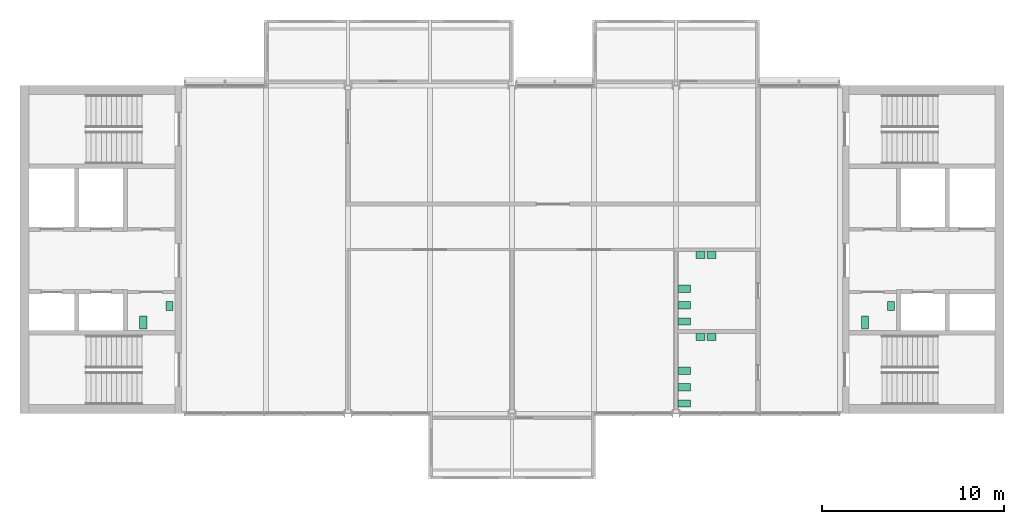
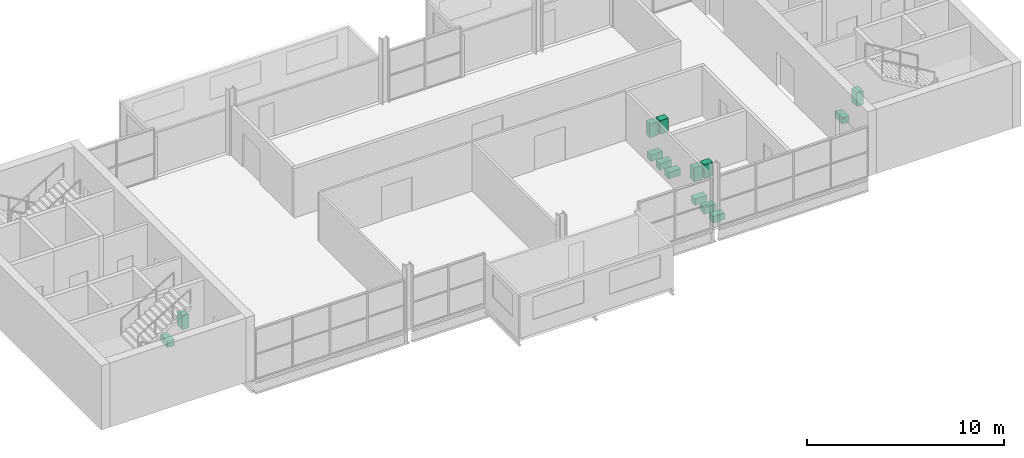
# One storey, part 10 of 10: 14 sanitary terminals.
"""IFC4 building model written with IfcOpenShell, lengths in metres."""

from ifc_helpers import new_model, si_unit, direction, frame, origin, origin_2d, place, context, subcontext, project, spatial, rectangle, extrude, element, save


model = new_model("IFC4")

# Units and contexts
model_context = context("Model", 3, precision=1e-05, world=origin(), true_north=direction((0.0, 1.0)))
body_context = subcontext(model_context, "Body", "Model", "MODEL_VIEW")
ifc_project = project(units=[si_unit("LENGTHUNIT", "METRE"), si_unit("AREAUNIT", "SQUARE_METRE"), si_unit("VOLUMEUNIT", "CUBIC_METRE"), si_unit("PLANEANGLEUNIT", "RADIAN"), si_unit("MASSUNIT", "GRAM", prefix="KILO")], contexts=[model_context])

# Site, building, storey
site_placement = place(None, origin())
site = spatial("IfcSite", under=ifc_project, at=site_placement, CompositionType="ELEMENT")
building_placement = place(site_placement, origin())
building = spatial("IfcBuilding", under=site, at=building_placement, Name="Corbel Yard City Hall", CompositionType="ELEMENT")
storey_placement = place(building_placement, frame((0.0, 0.0, 43.199951171875)))
storey = spatial("IfcBuildingStorey", under=building, at=storey_placement, Name="L10", CompositionType="ELEMENT", Elevation=43.199951171875)

# Sanitary terminals
sanitary_terminal_1_placement = place(storey_placement, frame((46.36669921875, 104.0, 0.0), z_axis=(0.0, 0.0, 1.0), x_axis=(1.0, 0.0, 0.0)))
element("IfcSanitaryTerminal", 1, at=sanitary_terminal_1_placement, inside=storey, Name="Water closet", PredefinedType="TOILETPAN", context=body_context, shape_type="SweptSolid", body=[
    extrude(rectangle(XDim=0.39990234375, YDim=0.699951171875, at=origin_2d()), origin(), (0.0, 0.0, 1.0), 0.39990234375),
])
sanitary_terminal_2_placement = place(storey_placement, frame((47.800048828125, 104.89990234375, 0.0), z_axis=(0.0, 0.0, 1.0), x_axis=(1.0, 0.0, 0.0)))
element("IfcSanitaryTerminal", 2, at=sanitary_terminal_2_placement, inside=storey, Name="Wash basin", PredefinedType="WASHHANDBASIN", context=body_context, shape_type="SweptSolid", body=[
    extrude(rectangle(XDim=0.39990234375, YDim=0.5, at=origin_2d()), origin(), (0.0, 0.0, 1.0), 0.85009765625),
])
sanitary_terminal_3_placement = place(storey_placement, frame((6.7666015625, 104.0, 0.0), z_axis=(0.0, 0.0, 1.0), x_axis=(1.0, 0.0, 0.0)))
element("IfcSanitaryTerminal", 3, at=sanitary_terminal_3_placement, inside=storey, Name="Water closet", PredefinedType="TOILETPAN", context=body_context, shape_type="SweptSolid", body=[
    extrude(rectangle(XDim=0.39990234375, YDim=0.699951171875, at=origin_2d()), origin(), (0.0, 0.0, 1.0), 0.39990234375),
])
sanitary_terminal_4_placement = place(storey_placement, frame((8.199951171875, 104.89990234375, 0.0), z_axis=(0.0, 0.0, 1.0), x_axis=(1.0, 0.0, 0.0)))
element("IfcSanitaryTerminal", 4, at=sanitary_terminal_4_placement, inside=storey, Name="Wash basin", PredefinedType="WASHHANDBASIN", context=body_context, shape_type="SweptSolid", body=[
    extrude(rectangle(XDim=0.39990234375, YDim=0.5, at=origin_2d()), origin(), (0.0, 0.0, 1.0), 0.85009765625),
])
for number, where, z_axis, x_axis, name in (
    (5, (36.449951171875, 99.550048828125, 0.0), (0.0, 0.0, 1.0), (1.0, 0.0, 0.0), "Water closet"),
    (6, (36.449951171875, 100.449951171875, 0.0), (0.0, 0.0, 1.0), (1.0, 0.0, 0.0), "Water closet"),
    (7, (36.449951171875, 101.35009765625, 0.0), (0.0, 0.0, 1.0), (1.0, 0.0, 0.0), "Water closet"),
):
    element("IfcSanitaryTerminal", number, at=place(storey_placement, frame(where, z_axis=z_axis, x_axis=x_axis)), inside=storey, Name=name, PredefinedType="TOILETPAN", context=body_context, shape_type="SweptSolid", body=[
        extrude(rectangle(XDim=0.699951171875, YDim=0.39990234375, at=origin_2d()), origin(), (0.0, 0.0, 1.0), 0.39990234375),
    ])
for number, where, z_axis, x_axis, name in (
    (8, (37.35009765625, 103.199951171875, 0.0), (0.0, 0.0, 1.0), (1.0, 0.0, 0.0), "Wash basin"),
    (9, (37.949951171875, 103.199951171875, 0.0), (0.0, 0.0, 1.0), (1.0, 0.0, 0.0), "Wash basin"),
):
    element("IfcSanitaryTerminal", number, at=place(storey_placement, frame(where, z_axis=z_axis, x_axis=x_axis)), inside=storey, Name=name, PredefinedType="WASHHANDBASIN", context=body_context, shape_type="SweptSolid", body=[
        extrude(rectangle(XDim=0.5, YDim=0.39990234375, at=origin_2d()), origin(), (0.0, 0.0, 1.0), 0.85009765625),
    ])
for number, where, z_axis, x_axis, name in (
    (10, (36.449951171875, 104.050048828125, 0.0), (0.0, 0.0, 1.0), (1.0, 0.0, 0.0), "Water closet"),
    (11, (36.449951171875, 104.949951171875, 0.0), (0.0, 0.0, 1.0), (1.0, 0.0, 0.0), "Water closet"),
    (12, (36.449951171875, 105.85009765625, 0.0), (0.0, 0.0, 1.0), (1.0, 0.0, 0.0), "Water closet"),
):
    element("IfcSanitaryTerminal", number, at=place(storey_placement, frame(where, z_axis=z_axis, x_axis=x_axis)), inside=storey, Name=name, PredefinedType="TOILETPAN", context=body_context, shape_type="SweptSolid", body=[
        extrude(rectangle(XDim=0.699951171875, YDim=0.39990234375, at=origin_2d()), origin(), (0.0, 0.0, 1.0), 0.39990234375),
    ])
for number, where, z_axis, x_axis, name in (
    (13, (37.35009765625, 107.699951171875, 0.0), (0.0, 0.0, 1.0), (1.0, 0.0, 0.0), "Wash basin"),
    (14, (37.949951171875, 107.699951171875, 0.0), (0.0, 0.0, 1.0), (1.0, 0.0, 0.0), "Wash basin"),
):
    element("IfcSanitaryTerminal", number, at=place(storey_placement, frame(where, z_axis=z_axis, x_axis=x_axis)), inside=storey, Name=name, PredefinedType="WASHHANDBASIN", context=body_context, shape_type="SweptSolid", body=[
        extrude(rectangle(XDim=0.5, YDim=0.39990234375, at=origin_2d()), origin(), (0.0, 0.0, 1.0), 0.85009765625),
    ])

save(model, "model.ifc")
